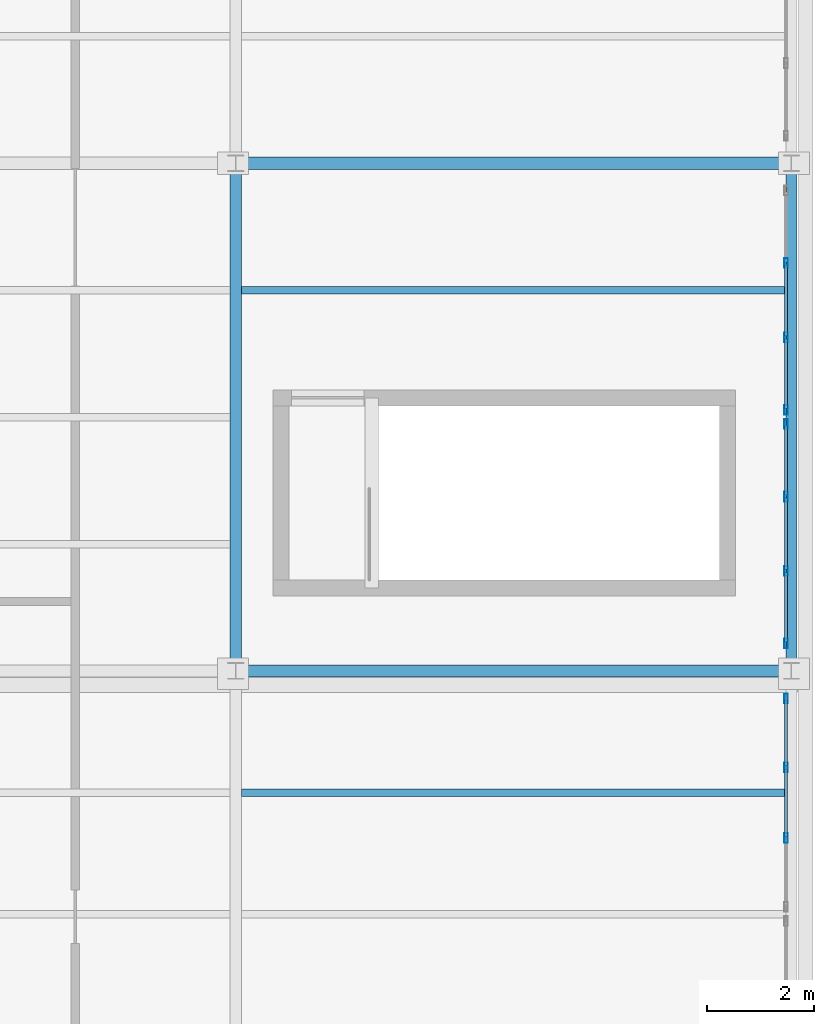
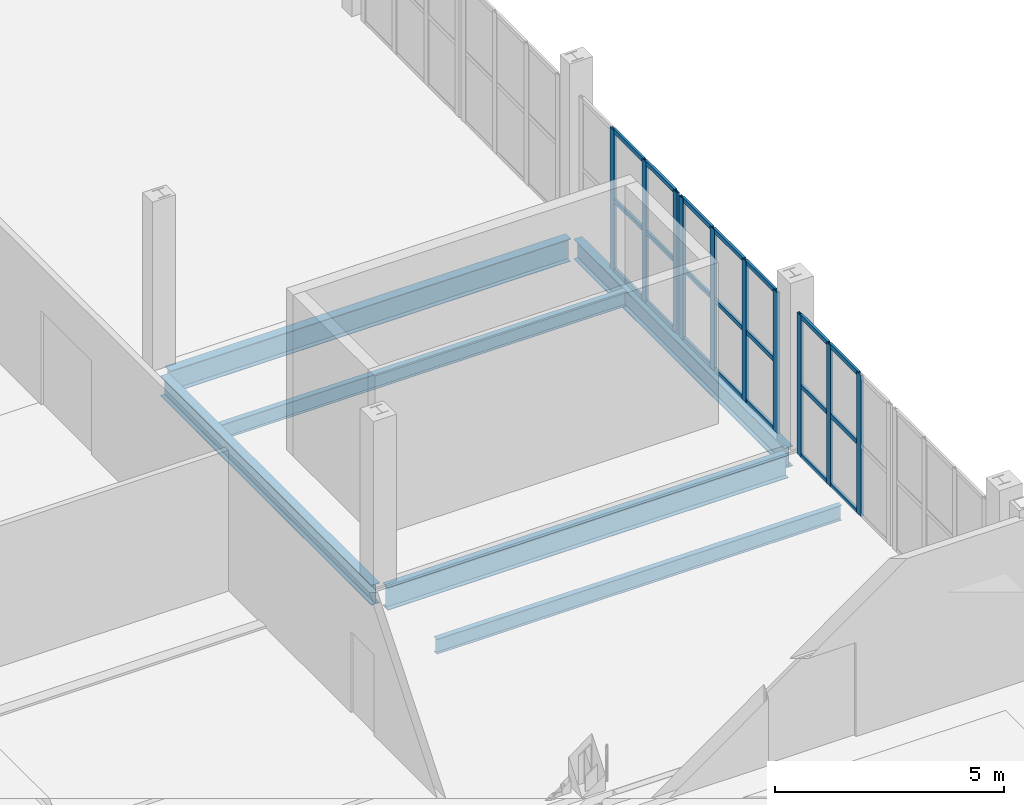
# One storey, part 97 of 156: 31 members, 6 beams, 3 elements without a shape of their own.
"""IFC4 building model written with IfcOpenShell, lengths in metres."""

import ifcopenshell
import ifcopenshell.guid

model = None  # the IFC model being written
_history = None  # IfcOwnerHistory: only IFC2X3 demands one
_inside = {}  # id of a spatial element -> (the spatial element, [elements in it])
_under = {}  # id of a project, library or spatial element -> (it, [spatial elements below it])
_declared = {}  # id of a project -> (the project, [libraries it declares])
_typed = {}  # id of a type object -> (the type object, [elements of that type])
_made_of = {}  # id of a material, layer set ... -> (it, [elements and type objects made of it])


def new_model(schema):
    """Start an empty IFC model of exactly this schema.

    Asked for "IFC4X3", IfcOpenShell would pick the latest addendum, in which some entities
    have other attributes; the version numbers below select the first issue.
    IFC2X3 requires an IfcOwnerHistory on every rooted entity: one is made here for all.
    """
    global model, _history
    if schema == "IFC4X3":
        model = ifcopenshell.file(schema_version=(4, 3, 0, 0))
    else:
        model = ifcopenshell.file(schema=schema)
    _inside.clear()
    _under.clear()
    _declared.clear()
    _typed.clear()
    _made_of.clear()
    _history = None
    if model.schema == "IFC2X3":
        org = make("IfcOrganization", Name="unknown")
        user = make(
            "IfcPersonAndOrganization",
            ThePerson=make("IfcPerson", FamilyName="unknown"),
            TheOrganization=org,
        )
        app = make(
            "IfcApplication",
            ApplicationDeveloper=org,
            Version="unknown",
            ApplicationFullName="unknown",
            ApplicationIdentifier="unknown",
        )
        _history = make(
            "IfcOwnerHistory",
            OwningUser=user,
            OwningApplication=app,
            ChangeAction="ADDED",
            CreationDate=0,
        )
    return model


def make(cls, **values):
    """One entity of the class cls with the attributes given. An attribute that is None is left unset."""
    return model.create_entity(
        cls, **{name: value for name, value in values.items() if value is not None}
    )


def rooted(cls, **values):
    """An entity with a GlobalId (a new one), such as an element, a storey or a relation."""
    return make(cls, GlobalId=ifcopenshell.guid.new(), OwnerHistory=_history, **values)


def si_unit(unit_type, name, prefix=None):
    """IfcSIUnit, for example si_unit("LENGTHUNIT", "METRE", prefix="MILLI")."""
    return make("IfcSIUnit", UnitType=unit_type, Prefix=prefix, Name=name)


def assignment(units):
    """IfcUnitAssignment: the units of a project."""
    return None if units is None else make("IfcUnitAssignment", Units=units)


def point(xyz):
    """IfcCartesianPoint."""
    return None if xyz is None else make("IfcCartesianPoint", Coordinates=xyz)


def direction(xyz):
    """IfcDirection."""
    return None if xyz is None else make("IfcDirection", DirectionRatios=xyz)


def frame(location, z_axis=None, x_axis=None):
    """IfcAxis2Placement3D, a coordinate frame: its origin and axes. An axis left out is left unset."""
    return make(
        "IfcAxis2Placement3D",
        Location=point(location),
        Axis=direction(z_axis),
        RefDirection=direction(x_axis),
    )


def frame_2d(location, x_axis=None):
    """IfcAxis2Placement2D, a coordinate frame in the plane: its origin and x axis."""
    return make(
        "IfcAxis2Placement2D", Location=point(location), RefDirection=direction(x_axis)
    )


def origin():
    """The frame at (0, 0, 0) with its axes left unset."""
    return frame((0.0, 0.0, 0.0))


def origin_2d():
    """The frame at (0, 0) in the plane with its x axis left unset."""
    return frame_2d((0.0, 0.0))


def place(relative_to, where):
    """IfcLocalPlacement: puts the frame where relative to a parent placement (None: the world)."""
    return make(
        "IfcLocalPlacement", PlacementRelTo=relative_to, RelativePlacement=where
    )


def context(
    kind, dimensions, precision=None, world=None, true_north=None, identifier=None
):
    """IfcGeometricRepresentationContext, for example the 3D "Model" context."""
    return make(
        "IfcGeometricRepresentationContext",
        ContextIdentifier=identifier,
        ContextType=kind,
        CoordinateSpaceDimension=dimensions,
        Precision=precision,
        WorldCoordinateSystem=world,
        TrueNorth=true_north,
    )


def subcontext(parent, identifier, kind, view, scale=None):
    """IfcGeometricRepresentationSubContext, for example "Body" below "Model"."""
    return make(
        "IfcGeometricRepresentationSubContext",
        ContextIdentifier=identifier,
        ContextType=kind,
        ParentContext=parent,
        TargetScale=scale,
        TargetView=view,
    )


def project(units=None, contexts=None):
    """IfcProject with its units and contexts."""
    return rooted(
        "IfcProject",
        Name="project",
        RepresentationContexts=contexts,
        UnitsInContext=assignment(units),
    )


def spatial(cls, under=None, at=None, **own):
    """A site, building, storey or space (cls), placed at a placement, below another one or the project."""
    s = rooted(cls, ObjectPlacement=at, **own)
    if under is not None:
        _under.setdefault(under.id(), (under, []))[1].append(s)
    return s


def profile(cls, at=None, kind="AREA", **sizes):
    """A parametric profile (cls). Its sizes go by their IFC names, for example OverallWidth=200.0."""
    return make(cls, ProfileType=kind, Position=at, **sizes)


def hollow_rectangle(**sizes):
    """IfcRectangleHollowProfileDef."""
    return profile("IfcRectangleHollowProfileDef", **sizes)


def i_section(**sizes):
    """IfcIShapeProfileDef."""
    return profile("IfcIShapeProfileDef", **sizes)


def extrude(swept, where, along, depth):
    """IfcExtrudedAreaSolid: the profile swept, set in the frame where, extruded along a direction by depth."""
    return make(
        "IfcExtrudedAreaSolid",
        SweptArea=swept,
        Position=where,
        ExtrudedDirection=direction(along),
        Depth=depth,
    )


def shape(context_of_items, identifier, shape_type, items):
    """IfcShapeRepresentation: the items that make up one representation, for example the "Body"."""
    return make(
        "IfcShapeRepresentation",
        ContextOfItems=context_of_items,
        RepresentationIdentifier=identifier,
        RepresentationType=shape_type,
        Items=items,
    )


def material(Name=None, Category=None):
    """IfcMaterial."""
    return make("IfcMaterial", Name=Name, Category=Category)


def material_profile(
    of_material, cross_section, Name=None, Category=None, Priority=None
):
    """IfcMaterialProfile: a cross section and its material."""
    return make(
        "IfcMaterialProfile",
        Name=Name,
        Material=of_material,
        Profile=cross_section,
        Priority=Priority,
        Category=Category,
    )


def profile_set(profiles, Name=None, composite=None):
    """IfcMaterialProfileSet."""
    return make(
        "IfcMaterialProfileSet",
        Name=Name,
        MaterialProfiles=profiles,
        CompositeProfile=composite,
    )


def made_of(thing, what):
    """Note that an element or type object is made of a material, layer set ...; save() writes the relation."""
    if what is not None:
        _made_of.setdefault(what.id(), (what, []))[1].append(thing)
    return thing


def type_object(cls, material=None, **own):
    """A type object (cls), such as IfcWallType, which elements share."""
    return made_of(rooted(cls, **own), material)


def element(
    cls,
    number,
    at=None,
    inside=None,
    cuts=None,
    type_object=None,
    material=None,
    context=None,
    identifier="Body",
    shape_type=None,
    held_by="IfcProductDefinitionShape",
    body=None,
    shapes=None,
    **own,
):
    """One element of the class cls, such as IfcWall. Its Tag is "e" and its number.

    at: its placement. inside: the storey or other place that contains it. cuts: it is an
    opening in that element (IfcRelVoidsElement). A single representation is given by context,
    identifier, shape_type and body (its items); several are given by shapes. held_by: the class
    of the entity that holds the representations. save() writes the other relations.
    """
    e = rooted(cls, Tag="e%d" % number, ObjectPlacement=at, **own)
    if body is not None:
        shapes = [shape(context, identifier, shape_type, body)]
    if shapes is not None:
        e.Representation = make(held_by, Representations=shapes)
    if inside is not None:
        _inside.setdefault(inside.id(), (inside, []))[1].append(e)
    if cuts is not None:
        rooted(
            "IfcRelVoidsElement", RelatingBuildingElement=cuts, RelatedOpeningElement=e
        )
    if type_object is not None:
        _typed.setdefault(type_object.id(), (type_object, []))[1].append(e)
    return made_of(e, material)


def aggregate(whole, parts):
    """IfcRelAggregates: a whole, such as a stair, and the parts it consists of."""
    return rooted("IfcRelAggregates", RelatingObject=whole, RelatedObjects=parts)


def save(model, path):
    """Write the relations noted so far, then the file.

    IfcRelAggregates (storeys below a building ...), IfcRelContainedInSpatialStructure (elements
    in a storey), IfcRelDefinesByType, IfcRelAssociatesMaterial and IfcRelDeclares: one each for
    every whole, place, type object, material and project.
    """
    for whole, parts in _under.values():
        aggregate(whole, parts)
    for where, things in _inside.values():
        rooted(
            "IfcRelContainedInSpatialStructure",
            RelatedElements=things,
            RelatingStructure=where,
        )
    for kind, things in _typed.values():
        rooted("IfcRelDefinesByType", RelatedObjects=things, RelatingType=kind)
    for what, things in _made_of.values():
        rooted("IfcRelAssociatesMaterial", RelatedObjects=things, RelatingMaterial=what)
    for by, libraries in _declared.values():
        rooted("IfcRelDeclares", RelatingContext=by, RelatedDefinitions=libraries)
    model.write(path)


model = new_model("IFC4")

# Units and contexts
model_context = context("Model", 3, precision=1e-05, world=origin(), true_north=direction((0.0, 1.0)))
body_context = subcontext(model_context, "Body", "Model", "MODEL_VIEW")
ifc_project = project(units=[si_unit("LENGTHUNIT", "METRE"), si_unit("AREAUNIT", "SQUARE_METRE"), si_unit("VOLUMEUNIT", "CUBIC_METRE"), si_unit("PLANEANGLEUNIT", "RADIAN"), si_unit("MASSUNIT", "GRAM", prefix="KILO")], contexts=[model_context])

# Site, building, storey
site_placement = place(None, origin())
site = spatial("IfcSite", under=ifc_project, at=site_placement, CompositionType="ELEMENT")
building_placement = place(site_placement, origin())
building = spatial("IfcBuilding", under=site, at=building_placement, Name="Caurita Quay Ferry Terminal", CompositionType="ELEMENT")
storey_placement = place(building_placement, frame((0.0, 0.0, 5.39990234375)))
storey = spatial("IfcBuildingStorey", under=building, at=storey_placement, Name="L01", CompositionType="ELEMENT", Elevation=5.39990234375)

# Beams
ifc_material_1 = material(Name="Structural steel ASTM A992 Gr. 50", Category="steel")
ifc_material_profile_1 = material_profile(ifc_material_1, i_section(OverallWidth=0.210693359375, OverallDepth=0.53857421875, WebThickness=0.01171875, FlangeThickness=0.018798828125, FilletRadius=0.013916015625, at=origin_2d()), Name="W21X73")
ifc_profile_set_1 = profile_set([ifc_material_profile_1], Name="Structural steel ASTM A992 Gr. 50")
beam_type_1 = type_object("IfcBeamType", Name="BM-GR-W21A", PredefinedType="BEAM", material=ifc_profile_set_1)
for number, where, z_axis, x_axis, name in (
    (1, (163.60009765625, 43.8544921875, -0.504150390625), (0.0, 1.0, 0.0), (-1.0, 0.0, 0.0), "L01 Beam BM-V3H-L01-Y-1636-439"),
    (2, (174.0, 43.8544921875, -0.504150390625), (0.0, 1.0, 0.0), (-1.0, 0.0, 0.0), "L01 Beam BM-V3H-L01-Y-1740-439"),
):
    element("IfcBeam", number, at=place(storey_placement, frame(where, z_axis=z_axis, x_axis=x_axis)), inside=storey, type_object=beam_type_1, Name=name, PredefinedType="BEAM", context=body_context, shape_type="SweptSolid", body=[
        extrude(i_section(OverallWidth=0.210693359375, OverallDepth=0.53857421875, WebThickness=0.01171875, FlangeThickness=0.018798828125, FilletRadius=0.013916015625, at=origin_2d()), origin(), (0.0, 0.0, 1.0), 9.191162109375),
    ])
ifc_material_profile_2 = material_profile(ifc_material_1, i_section(OverallWidth=0.22802734375, OverallDepth=0.60205078125, WebThickness=0.010498046875, FlangeThickness=0.014892578125, at=origin_2d()), Name="W24X68")
ifc_profile_set_2 = profile_set([ifc_material_profile_2], Name="Structural steel ASTM A992 Gr. 50")
beam_type_2 = type_object("IfcBeamType", Name="BM-GR-W24C", PredefinedType="BEAM", material=ifc_profile_set_2)
for number, where, z_axis, x_axis, name in (
    (3, (163.757568359375, 43.699951171875, -0.535888671875), (1.0, 0.0, 0.0), (0.0, 1.0, 0.0), "L01 Beam BM-V3H-L01-X-1638-437"),
    (4, (163.757568359375, 53.199951171875, -0.535888671875), (1.0, 0.0, 0.0), (0.0, 1.0, 0.0), "L01 Beam BM-V3H-L01-X-1638-532"),
):
    element("IfcBeam", number, at=place(storey_placement, frame(where, z_axis=z_axis, x_axis=x_axis)), inside=storey, type_object=beam_type_2, Name=name, PredefinedType="BEAM", context=body_context, shape_type="SweptSolid", body=[
        extrude(i_section(OverallWidth=0.22802734375, OverallDepth=0.60205078125, WebThickness=0.010498046875, FlangeThickness=0.014892578125, at=origin_2d()), origin(), (0.0, 0.0, 1.0), 10.084716796875),
    ])
ifc_material_profile_3 = material_profile(ifc_material_1, i_section(OverallWidth=0.139892578125, OverallDepth=0.39892578125, WebThickness=0.00634765625, FlangeThickness=0.0087890625, at=origin_2d()), Name="W16X26")
ifc_profile_set_3 = profile_set([ifc_material_profile_3], Name="Structural steel ASTM A992 Gr. 50")
beam_type_3 = type_object("IfcBeamType", Name="BM-JS-W16C", PredefinedType="JOIST", material=ifc_profile_set_3)
for number, where, z_axis, x_axis, name in (
    (5, (163.705322265625, 41.425048828125, -0.434326171875), (1.0, 0.0, 0.0), (0.0, 1.0, 0.0), "L01 Beam JS-V3H-L01-034"),
    (6, (163.705322265625, 50.824951171875, -0.434326171875), (1.0, 0.0, 0.0), (0.0, 1.0, 0.0), "L01 Beam JS-V3H-L01-035"),
):
    element("IfcBeam", number, at=place(storey_placement, frame(where, z_axis=z_axis, x_axis=x_axis)), inside=storey, type_object=beam_type_3, Name=name, PredefinedType="JOIST", context=body_context, shape_type="SweptSolid", body=[
        extrude(i_section(OverallWidth=0.139892578125, OverallDepth=0.39892578125, WebThickness=0.00634765625, FlangeThickness=0.0087890625, at=origin_2d()), origin(), (0.0, 0.0, 1.0), 10.189208984375),
    ])

# Curtain wall, members
ifc_material_2 = material(Name="Laminated solar-control insulated glass", Category="glass")
curtain_wall_type_1 = type_object("IfcCurtainWallType", Name="CW-SYS-18", PredefinedType="NOTDEFINED", material=ifc_material_2)
curtain_wall_1_placement = place(storey_placement, origin())
curtain_wall_1 = element("IfcCurtainWall", 7, at=curtain_wall_1_placement, inside=storey, type_object=curtain_wall_type_1, Name="Boarding Headhouse East Curtain Wall 137", PredefinedType="NOTDEFINED")
ifc_material_3 = material(Name="Anodized aluminium 6063-T6", Category="aluminium")
ifc_material_profile_4 = material_profile(ifc_material_3, hollow_rectangle(XDim=0.06494140625, YDim=0.179931640625, WallThickness=0.00390625, at=origin_2d()), Name="ALU-MUL-65X180")
ifc_profile_set_4 = profile_set([ifc_material_profile_4], Name="Anodized aluminium 6063-T6")
member_type_1 = type_object("IfcMemberType", Name="CW-MUL-180", PredefinedType="MULLION", material=ifc_profile_set_4)
member_1_placement = place(storey_placement, frame((173.89990234375, 40.5732421875, 0.0), z_axis=(0.0, 0.0, 1.0), x_axis=(-1.0, 0.0, 0.0)))
member_1 = element("IfcMember", 8, at=member_1_placement, type_object=member_type_1, Name="CW-V3E-137 Mullion 2", PredefinedType="MULLION", context=body_context, shape_type="SweptSolid", body=[
    extrude(hollow_rectangle(XDim=0.06494140625, YDim=0.179931640625, WallThickness=0.00390625, at=origin_2d()), origin(), (0.0, 0.0, 1.0), 3.75),
])
member_2_placement = place(storey_placement, frame((173.89990234375, 41.896728515625, 0.0), z_axis=(0.0, 0.0, 1.0), x_axis=(-1.0, 0.0, 0.0)))
member_2 = element("IfcMember", 9, at=member_2_placement, type_object=member_type_1, Name="CW-V3E-137 Mullion 3", PredefinedType="MULLION", context=body_context, shape_type="SweptSolid", body=[
    extrude(hollow_rectangle(XDim=0.06494140625, YDim=0.179931640625, WallThickness=0.00390625, at=origin_2d()), origin(), (0.0, 0.0, 1.0), 3.75),
])
member_3_placement = place(storey_placement, frame((173.89990234375, 43.1875, 0.0), z_axis=(0.0, 0.0, 1.0), x_axis=(-1.0, 0.0, 0.0)))
member_3 = element("IfcMember", 10, at=member_3_placement, type_object=member_type_1, Name="CW-V3E-137 Mullion 4", PredefinedType="MULLION", context=body_context, shape_type="SweptSolid", body=[
    extrude(hollow_rectangle(XDim=0.06494140625, YDim=0.179931640625, WallThickness=0.00390625, at=origin_2d()), origin(), (0.0, 0.0, 1.0), 3.75),
])

curtain_wall_type_2 = type_object("IfcCurtainWallType", Name="CW-SYS-19", PredefinedType="NOTDEFINED", material=ifc_material_2)
curtain_wall_2_placement = place(storey_placement, origin())
curtain_wall_2 = element("IfcCurtainWall", 11, at=curtain_wall_2_placement, inside=storey, type_object=curtain_wall_type_2, Name="Boarding Headhouse East Curtain Wall 138", PredefinedType="NOTDEFINED")
member_4_placement = place(storey_placement, frame((173.89990234375, 44.21240234375, 0.0), z_axis=(0.0, 0.0, 1.0), x_axis=(-1.0, 0.0, 0.0)))
member_4 = element("IfcMember", 12, at=member_4_placement, type_object=member_type_1, Name="CW-V3E-138 Mullion 1", PredefinedType="MULLION", context=body_context, shape_type="SweptSolid", body=[
    extrude(hollow_rectangle(XDim=0.06494140625, YDim=0.179931640625, WallThickness=0.00390625, at=origin_2d()), origin(), (0.0, 0.0, 1.0), 3.75),
])
member_5_placement = place(storey_placement, frame((173.89990234375, 45.570068359375, 0.0), z_axis=(0.0, 0.0, 1.0), x_axis=(-1.0, 0.0, 0.0)))
member_5 = element("IfcMember", 13, at=member_5_placement, type_object=member_type_1, Name="CW-V3E-138 Mullion 2", PredefinedType="MULLION", context=body_context, shape_type="SweptSolid", body=[
    extrude(hollow_rectangle(XDim=0.06494140625, YDim=0.179931640625, WallThickness=0.00390625, at=origin_2d()), origin(), (0.0, 0.0, 1.0), 3.75),
])
member_6_placement = place(storey_placement, frame((173.89990234375, 46.9599609375, 0.0), z_axis=(0.0, 0.0, 1.0), x_axis=(-1.0, 0.0, 0.0)))
member_6 = element("IfcMember", 14, at=member_6_placement, type_object=member_type_1, Name="CW-V3E-138 Mullion 3", PredefinedType="MULLION", context=body_context, shape_type="SweptSolid", body=[
    extrude(hollow_rectangle(XDim=0.06494140625, YDim=0.179931640625, WallThickness=0.00390625, at=origin_2d()), origin(), (0.0, 0.0, 1.0), 3.75),
])
member_7_placement = place(storey_placement, frame((173.89990234375, 48.3173828125, 0.0), z_axis=(0.0, 0.0, 1.0), x_axis=(-1.0, 0.0, 0.0)))
member_7 = element("IfcMember", 15, at=member_7_placement, type_object=member_type_1, Name="CW-V3E-138 Mullion 4", PredefinedType="MULLION", context=body_context, shape_type="SweptSolid", body=[
    extrude(hollow_rectangle(XDim=0.06494140625, YDim=0.179931640625, WallThickness=0.00390625, at=origin_2d()), origin(), (0.0, 0.0, 1.0), 3.75),
])

curtain_wall_3_placement = place(storey_placement, origin())
curtain_wall_3 = element("IfcCurtainWall", 16, at=curtain_wall_3_placement, inside=storey, type_object=curtain_wall_type_2, Name="Boarding Headhouse East Curtain Wall 139", PredefinedType="NOTDEFINED")
member_8_placement = place(storey_placement, frame((173.89990234375, 48.58251953125, 0.0), z_axis=(0.0, 0.0, 1.0), x_axis=(-1.0, 0.0, 0.0)))
member_8 = element("IfcMember", 17, at=member_8_placement, type_object=member_type_1, Name="CW-V3E-139 Mullion 1", PredefinedType="MULLION", context=body_context, shape_type="SweptSolid", body=[
    extrude(hollow_rectangle(XDim=0.06494140625, YDim=0.179931640625, WallThickness=0.00390625, at=origin_2d()), origin(), (0.0, 0.0, 1.0), 3.75),
])
member_9_placement = place(storey_placement, frame((173.89990234375, 49.93994140625, 0.0), z_axis=(0.0, 0.0, 1.0), x_axis=(-1.0, 0.0, 0.0)))
member_9 = element("IfcMember", 18, at=member_9_placement, type_object=member_type_1, Name="CW-V3E-139 Mullion 2", PredefinedType="MULLION", context=body_context, shape_type="SweptSolid", body=[
    extrude(hollow_rectangle(XDim=0.06494140625, YDim=0.179931640625, WallThickness=0.00390625, at=origin_2d()), origin(), (0.0, 0.0, 1.0), 3.75),
])
member_10_placement = place(storey_placement, frame((173.89990234375, 51.330078125, 0.0), z_axis=(0.0, 0.0, 1.0), x_axis=(-1.0, 0.0, 0.0)))
member_10 = element("IfcMember", 19, at=member_10_placement, type_object=member_type_1, Name="CW-V3E-139 Mullion 3", PredefinedType="MULLION", context=body_context, shape_type="SweptSolid", body=[
    extrude(hollow_rectangle(XDim=0.06494140625, YDim=0.179931640625, WallThickness=0.00390625, at=origin_2d()), origin(), (0.0, 0.0, 1.0), 3.75),
])

# Member
ifc_material_profile_5 = material_profile(ifc_material_3, hollow_rectangle(XDim=0.06005859375, YDim=0.114990234375, WallThickness=0.00341796875, at=origin_2d()), Name="ALU-TRN-60X115")
ifc_profile_set_5 = profile_set([ifc_material_profile_5], Name="Anodized aluminium 6063-T6")
member_type_2 = type_object("IfcMemberType", Name="CW-TRN-115", PredefinedType="USERDEFINED", material=ifc_profile_set_5)
member_11_placement = place(storey_placement, frame((173.89990234375, 40.603759765625, 0.030029296875), z_axis=(0.0, 1.0, 0.0), x_axis=(-1.0, 0.0, 0.0)))
member_11 = element("IfcMember", 20, at=member_11_placement, type_object=member_type_2, Name="CW-V3E-137 Transom 4", ObjectType="TRANSOM", PredefinedType="USERDEFINED", context=body_context, shape_type="SweptSolid", body=[
    extrude(hollow_rectangle(XDim=0.06005859375, YDim=0.114990234375, WallThickness=0.00341796875, at=origin_2d()), origin(), (0.0, 0.0, 1.0), 1.262451171875),
])

member_12_placement = place(storey_placement, frame((173.89990234375, 40.603759765625, 1.875), z_axis=(0.0, 1.0, 0.0), x_axis=(-1.0, 0.0, 0.0)))
member_12 = element("IfcMember", 21, at=member_12_placement, type_object=member_type_2, Name="CW-V3E-137 Transom 5", ObjectType="TRANSOM", PredefinedType="USERDEFINED", context=body_context, shape_type="SweptSolid", body=[
    extrude(hollow_rectangle(XDim=0.06005859375, YDim=0.114990234375, WallThickness=0.00341796875, at=origin_2d()), origin(), (0.0, 0.0, 1.0), 1.262451171875),
])

member_13_placement = place(storey_placement, frame((173.89990234375, 40.603759765625, 3.72021484375), z_axis=(0.0, 1.0, 0.0), x_axis=(-1.0, 0.0, 0.0)))
member_13 = element("IfcMember", 22, at=member_13_placement, type_object=member_type_2, Name="CW-V3E-137 Transom 6", ObjectType="TRANSOM", PredefinedType="USERDEFINED", context=body_context, shape_type="SweptSolid", body=[
    extrude(hollow_rectangle(XDim=0.06005859375, YDim=0.114990234375, WallThickness=0.00341796875, at=origin_2d()), origin(), (0.0, 0.0, 1.0), 1.262451171875),
])

member_14_placement = place(storey_placement, frame((173.89990234375, 41.92724609375, 0.030029296875), z_axis=(0.0, 1.0, 0.0), x_axis=(-1.0, 0.0, 0.0)))
member_14 = element("IfcMember", 23, at=member_14_placement, type_object=member_type_2, Name="CW-V3E-137 Transom 7", ObjectType="TRANSOM", PredefinedType="USERDEFINED", context=body_context, shape_type="SweptSolid", body=[
    extrude(hollow_rectangle(XDim=0.06005859375, YDim=0.114990234375, WallThickness=0.00341796875, at=origin_2d()), origin(), (0.0, 0.0, 1.0), 1.229736328125),
])

member_15_placement = place(storey_placement, frame((173.89990234375, 41.92724609375, 1.875), z_axis=(0.0, 1.0, 0.0), x_axis=(-1.0, 0.0, 0.0)))
member_15 = element("IfcMember", 24, at=member_15_placement, type_object=member_type_2, Name="CW-V3E-137 Transom 8", ObjectType="TRANSOM", PredefinedType="USERDEFINED", context=body_context, shape_type="SweptSolid", body=[
    extrude(hollow_rectangle(XDim=0.06005859375, YDim=0.114990234375, WallThickness=0.00341796875, at=origin_2d()), origin(), (0.0, 0.0, 1.0), 1.229736328125),
])

member_16_placement = place(storey_placement, frame((173.89990234375, 41.92724609375, 3.72021484375), z_axis=(0.0, 1.0, 0.0), x_axis=(-1.0, 0.0, 0.0)))
member_16 = element("IfcMember", 25, at=member_16_placement, type_object=member_type_2, Name="CW-V3E-137 Transom 9", ObjectType="TRANSOM", PredefinedType="USERDEFINED", context=body_context, shape_type="SweptSolid", body=[
    extrude(hollow_rectangle(XDim=0.06005859375, YDim=0.114990234375, WallThickness=0.00341796875, at=origin_2d()), origin(), (0.0, 0.0, 1.0), 1.229736328125),
])

aggregate(curtain_wall_1, [member_1, member_2, member_3, member_11, member_12, member_13, member_14, member_15, member_16])

member_17_placement = place(storey_placement, frame((173.89990234375, 44.242919921875, 0.030029296875), z_axis=(0.0, 1.0, 0.0), x_axis=(-1.0, 0.0, 0.0)))
member_17 = element("IfcMember", 26, at=member_17_placement, type_object=member_type_2, Name="CW-V3E-138 Transom 1", ObjectType="TRANSOM", PredefinedType="USERDEFINED", context=body_context, shape_type="SweptSolid", body=[
    extrude(hollow_rectangle(XDim=0.06005859375, YDim=0.114990234375, WallThickness=0.00341796875, at=origin_2d()), origin(), (0.0, 0.0, 1.0), 1.296630859375),
])

member_18_placement = place(storey_placement, frame((173.89990234375, 44.242919921875, 1.875), z_axis=(0.0, 1.0, 0.0), x_axis=(-1.0, 0.0, 0.0)))
member_18 = element("IfcMember", 27, at=member_18_placement, type_object=member_type_2, Name="CW-V3E-138 Transom 2", ObjectType="TRANSOM", PredefinedType="USERDEFINED", context=body_context, shape_type="SweptSolid", body=[
    extrude(hollow_rectangle(XDim=0.06005859375, YDim=0.114990234375, WallThickness=0.00341796875, at=origin_2d()), origin(), (0.0, 0.0, 1.0), 1.296630859375),
])

member_19_placement = place(storey_placement, frame((173.89990234375, 44.242919921875, 3.72021484375), z_axis=(0.0, 1.0, 0.0), x_axis=(-1.0, 0.0, 0.0)))
member_19 = element("IfcMember", 28, at=member_19_placement, type_object=member_type_2, Name="CW-V3E-138 Transom 3", ObjectType="TRANSOM", PredefinedType="USERDEFINED", context=body_context, shape_type="SweptSolid", body=[
    extrude(hollow_rectangle(XDim=0.06005859375, YDim=0.114990234375, WallThickness=0.00341796875, at=origin_2d()), origin(), (0.0, 0.0, 1.0), 1.296630859375),
])

member_20_placement = place(storey_placement, frame((173.89990234375, 45.6005859375, 0.030029296875), z_axis=(0.0, 1.0, 0.0), x_axis=(-1.0, 0.0, 0.0)))
member_20 = element("IfcMember", 29, at=member_20_placement, type_object=member_type_2, Name="CW-V3E-138 Transom 4", ObjectType="TRANSOM", PredefinedType="USERDEFINED", context=body_context, shape_type="SweptSolid", body=[
    extrude(hollow_rectangle(XDim=0.06005859375, YDim=0.114990234375, WallThickness=0.00341796875, at=origin_2d()), origin(), (0.0, 0.0, 1.0), 1.328857421875),
])

member_21_placement = place(storey_placement, frame((173.89990234375, 45.6005859375, 1.875), z_axis=(0.0, 1.0, 0.0), x_axis=(-1.0, 0.0, 0.0)))
member_21 = element("IfcMember", 30, at=member_21_placement, type_object=member_type_2, Name="CW-V3E-138 Transom 5", ObjectType="TRANSOM", PredefinedType="USERDEFINED", context=body_context, shape_type="SweptSolid", body=[
    extrude(hollow_rectangle(XDim=0.06005859375, YDim=0.114990234375, WallThickness=0.00341796875, at=origin_2d()), origin(), (0.0, 0.0, 1.0), 1.328857421875),
])

member_22_placement = place(storey_placement, frame((173.89990234375, 45.6005859375, 3.72021484375), z_axis=(0.0, 1.0, 0.0), x_axis=(-1.0, 0.0, 0.0)))
member_22 = element("IfcMember", 31, at=member_22_placement, type_object=member_type_2, Name="CW-V3E-138 Transom 6", ObjectType="TRANSOM", PredefinedType="USERDEFINED", context=body_context, shape_type="SweptSolid", body=[
    extrude(hollow_rectangle(XDim=0.06005859375, YDim=0.114990234375, WallThickness=0.00341796875, at=origin_2d()), origin(), (0.0, 0.0, 1.0), 1.328857421875),
])

member_23_placement = place(storey_placement, frame((173.89990234375, 46.990478515625, 0.030029296875), z_axis=(0.0, 1.0, 0.0), x_axis=(-1.0, 0.0, 0.0)))
member_23 = element("IfcMember", 32, at=member_23_placement, type_object=member_type_2, Name="CW-V3E-138 Transom 7", ObjectType="TRANSOM", PredefinedType="USERDEFINED", context=body_context, shape_type="SweptSolid", body=[
    extrude(hollow_rectangle(XDim=0.06005859375, YDim=0.114990234375, WallThickness=0.00341796875, at=origin_2d()), origin(), (0.0, 0.0, 1.0), 1.296630859375),
])

member_24_placement = place(storey_placement, frame((173.89990234375, 46.990478515625, 1.875), z_axis=(0.0, 1.0, 0.0), x_axis=(-1.0, 0.0, 0.0)))
member_24 = element("IfcMember", 33, at=member_24_placement, type_object=member_type_2, Name="CW-V3E-138 Transom 8", ObjectType="TRANSOM", PredefinedType="USERDEFINED", context=body_context, shape_type="SweptSolid", body=[
    extrude(hollow_rectangle(XDim=0.06005859375, YDim=0.114990234375, WallThickness=0.00341796875, at=origin_2d()), origin(), (0.0, 0.0, 1.0), 1.296630859375),
])

member_25_placement = place(storey_placement, frame((173.89990234375, 46.990478515625, 3.72021484375), z_axis=(0.0, 1.0, 0.0), x_axis=(-1.0, 0.0, 0.0)))
member_25 = element("IfcMember", 34, at=member_25_placement, type_object=member_type_2, Name="CW-V3E-138 Transom 9", ObjectType="TRANSOM", PredefinedType="USERDEFINED", context=body_context, shape_type="SweptSolid", body=[
    extrude(hollow_rectangle(XDim=0.06005859375, YDim=0.114990234375, WallThickness=0.00341796875, at=origin_2d()), origin(), (0.0, 0.0, 1.0), 1.296630859375),
])

aggregate(curtain_wall_2, [member_4, member_5, member_6, member_7, member_17, member_18, member_19, member_20, member_21, member_22, member_23, member_24, member_25])

member_26_placement = place(storey_placement, frame((173.89990234375, 48.613037109375, 0.030029296875), z_axis=(0.0, 1.0, 0.0), x_axis=(-1.0, 0.0, 0.0)))
member_26 = element("IfcMember", 35, at=member_26_placement, type_object=member_type_2, Name="CW-V3E-139 Transom 1", ObjectType="TRANSOM", PredefinedType="USERDEFINED", context=body_context, shape_type="SweptSolid", body=[
    extrude(hollow_rectangle(XDim=0.06005859375, YDim=0.114990234375, WallThickness=0.00341796875, at=origin_2d()), origin(), (0.0, 0.0, 1.0), 1.29638671875),
])

member_27_placement = place(storey_placement, frame((173.89990234375, 48.613037109375, 1.875), z_axis=(0.0, 1.0, 0.0), x_axis=(-1.0, 0.0, 0.0)))
member_27 = element("IfcMember", 36, at=member_27_placement, type_object=member_type_2, Name="CW-V3E-139 Transom 2", ObjectType="TRANSOM", PredefinedType="USERDEFINED", context=body_context, shape_type="SweptSolid", body=[
    extrude(hollow_rectangle(XDim=0.06005859375, YDim=0.114990234375, WallThickness=0.00341796875, at=origin_2d()), origin(), (0.0, 0.0, 1.0), 1.29638671875),
])

member_28_placement = place(storey_placement, frame((173.89990234375, 48.613037109375, 3.72021484375), z_axis=(0.0, 1.0, 0.0), x_axis=(-1.0, 0.0, 0.0)))
member_28 = element("IfcMember", 37, at=member_28_placement, type_object=member_type_2, Name="CW-V3E-139 Transom 3", ObjectType="TRANSOM", PredefinedType="USERDEFINED", context=body_context, shape_type="SweptSolid", body=[
    extrude(hollow_rectangle(XDim=0.06005859375, YDim=0.114990234375, WallThickness=0.00341796875, at=origin_2d()), origin(), (0.0, 0.0, 1.0), 1.29638671875),
])

member_29_placement = place(storey_placement, frame((173.89990234375, 49.970458984375, 0.030029296875), z_axis=(0.0, 1.0, 0.0), x_axis=(-1.0, 0.0, 0.0)))
member_29 = element("IfcMember", 38, at=member_29_placement, type_object=member_type_2, Name="CW-V3E-139 Transom 4", ObjectType="TRANSOM", PredefinedType="USERDEFINED", context=body_context, shape_type="SweptSolid", body=[
    extrude(hollow_rectangle(XDim=0.06005859375, YDim=0.114990234375, WallThickness=0.00341796875, at=origin_2d()), origin(), (0.0, 0.0, 1.0), 1.3291015625),
])

member_30_placement = place(storey_placement, frame((173.89990234375, 49.970458984375, 1.875), z_axis=(0.0, 1.0, 0.0), x_axis=(-1.0, 0.0, 0.0)))
member_30 = element("IfcMember", 39, at=member_30_placement, type_object=member_type_2, Name="CW-V3E-139 Transom 5", ObjectType="TRANSOM", PredefinedType="USERDEFINED", context=body_context, shape_type="SweptSolid", body=[
    extrude(hollow_rectangle(XDim=0.06005859375, YDim=0.114990234375, WallThickness=0.00341796875, at=origin_2d()), origin(), (0.0, 0.0, 1.0), 1.3291015625),
])

member_31_placement = place(storey_placement, frame((173.89990234375, 49.970458984375, 3.72021484375), z_axis=(0.0, 1.0, 0.0), x_axis=(-1.0, 0.0, 0.0)))
member_31 = element("IfcMember", 40, at=member_31_placement, type_object=member_type_2, Name="CW-V3E-139 Transom 6", ObjectType="TRANSOM", PredefinedType="USERDEFINED", context=body_context, shape_type="SweptSolid", body=[
    extrude(hollow_rectangle(XDim=0.06005859375, YDim=0.114990234375, WallThickness=0.00341796875, at=origin_2d()), origin(), (0.0, 0.0, 1.0), 1.3291015625),
])

aggregate(curtain_wall_3, [member_8, member_9, member_10, member_26, member_27, member_28, member_29, member_30, member_31])

save(model, "model.ifc")
